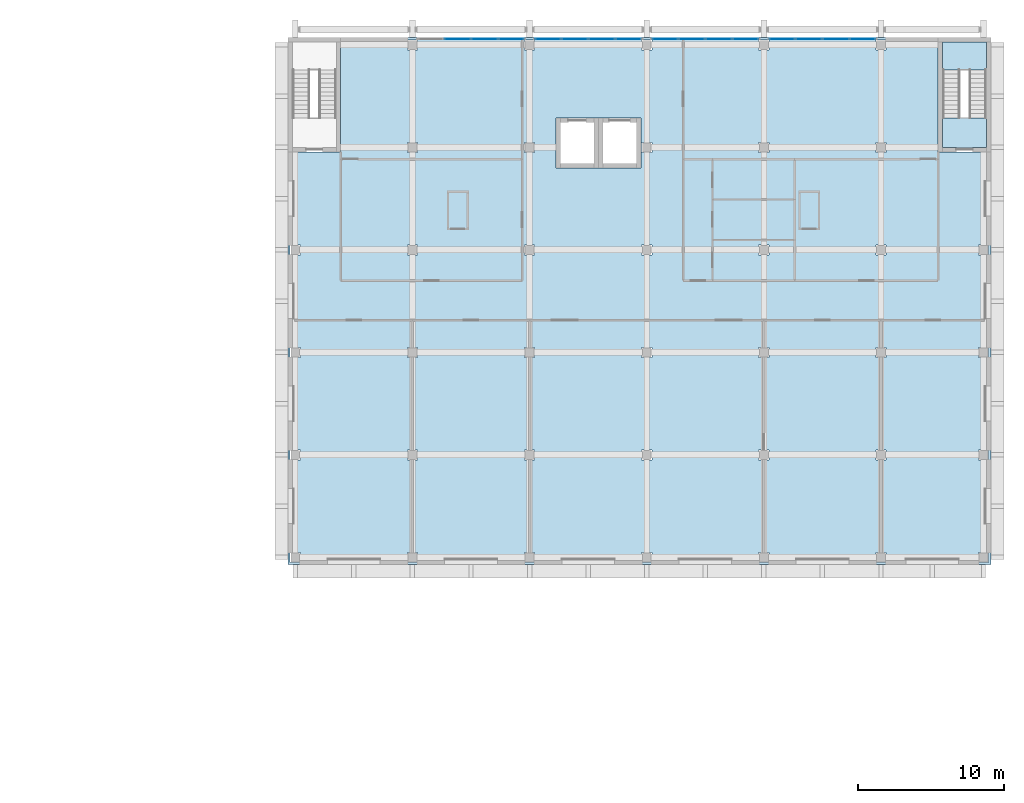
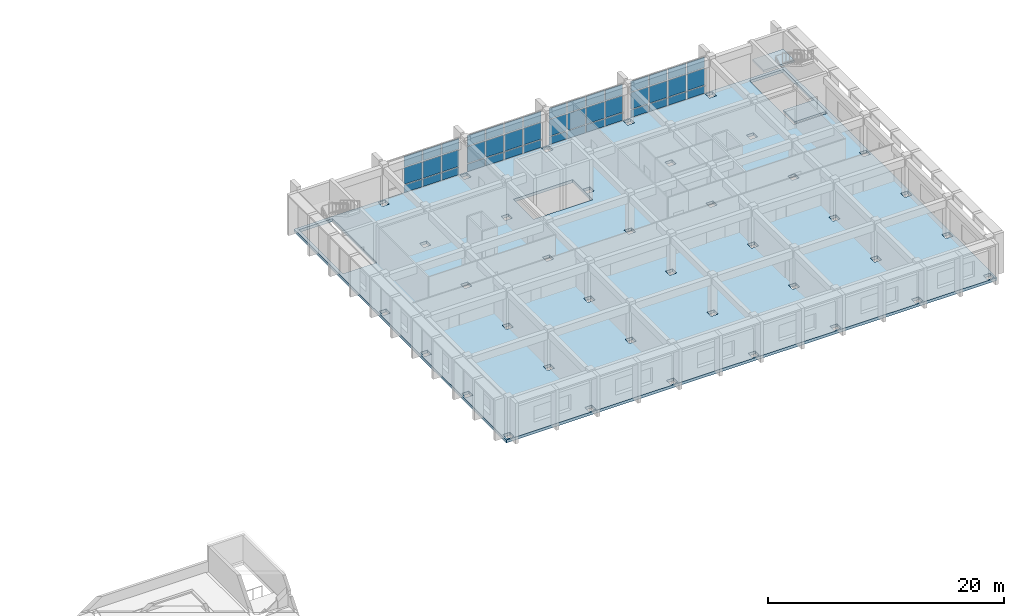
# One storey, part 30 of 43: 45 plates, 3 slabs, 5 elements without a shape of their own.
"""IFC4 building model written with IfcOpenShell, lengths in metres."""

from ifc_helpers import new_model, si_unit, direction, frame, origin, origin_2d, place, context, subcontext, project, spatial, polyline, rectangle, outline, extrude, material, layer, layer_set, type_object, element, aggregate, save


model = new_model("IFC4")

# Units and contexts
model_context = context("Model", 3, precision=1e-05, world=origin(), true_north=direction((0.0, 1.0)))
body_context = subcontext(model_context, "Body", "Model", "MODEL_VIEW")
ifc_project = project(units=[si_unit("LENGTHUNIT", "METRE"), si_unit("AREAUNIT", "SQUARE_METRE"), si_unit("VOLUMEUNIT", "CUBIC_METRE"), si_unit("PLANEANGLEUNIT", "RADIAN"), si_unit("MASSUNIT", "GRAM", prefix="KILO")], contexts=[model_context])

# Site, building, storey
site_placement = place(None, origin())
site = spatial("IfcSite", under=ifc_project, at=site_placement, CompositionType="ELEMENT")
building_placement = place(site_placement, origin())
building = spatial("IfcBuilding", under=site, at=building_placement, Name="Elmora Arch Market Hall", CompositionType="ELEMENT")
storey_placement = place(building_placement, frame((0.0, 0.0, 10.199951171875)))
storey = spatial("IfcBuildingStorey", under=building, at=storey_placement, Name="L02", CompositionType="ELEMENT", Elevation=10.199951171875)

# Slab
ifc_material_1 = material(Name="Concrete C32/40", Category="concrete")
ifc_layer_1 = layer(ifc_material_1, 0.300048828125)
ifc_layer_set_1 = layer_set([ifc_layer_1], Name="Concrete C32/40")
slab_type_1 = type_object("IfcSlabType", Name="Floor slab 300", PredefinedType="FLOOR", material=ifc_layer_set_1)
slab_1_placement = place(storey_placement, frame((0.0, 0.0, -0.300048828125)))
element("IfcSlab", 1, at=slab_1_placement, inside=storey, type_object=slab_type_1, Name="L02 floor slab SCH", PredefinedType="FLOOR", context=body_context, shape_type="SweptSolid", body=[
    extrude(outline(polyline([(86.0, 130.0), (86.0, 166.0), (134.0, 166.0), (134.0, 130.0), (86.0, 130.0)]), holes=[polyline([(133.14892578125, 151.85107421875), (133.14892578125, 151.14892578125), (133.85107421875, 151.14892578125), (133.85107421875, 151.85107421875), (133.14892578125, 151.85107421875)]), polyline([(133.14892578125, 144.85107421875), (133.14892578125, 144.14892578125), (133.85107421875, 144.14892578125), (133.85107421875, 144.85107421875), (133.14892578125, 144.85107421875)]), polyline([(133.14892578125, 137.85107421875), (133.14892578125, 137.14892578125), (133.85107421875, 137.14892578125), (133.85107421875, 137.85107421875), (133.14892578125, 137.85107421875)]), polyline([(133.14892578125, 130.85107421875), (133.14892578125, 130.14892578125), (133.85107421875, 130.14892578125), (133.85107421875, 130.85107421875), (133.14892578125, 130.85107421875)]), polyline([(130.39892578125, 158.198974609375), (133.700927734375, 158.198974609375), (133.700927734375, 165.700927734375), (130.39892578125, 165.700927734375), (130.39892578125, 158.198974609375)]), polyline([(126.14892578125, 151.14892578125), (126.85107421875, 151.14892578125), (126.85107421875, 151.85107421875), (126.14892578125, 151.85107421875), (126.14892578125, 151.14892578125)]), polyline([(126.14892578125, 130.14892578125), (126.85107421875, 130.14892578125), (126.85107421875, 130.85107421875), (126.14892578125, 130.85107421875), (126.14892578125, 130.14892578125)]), polyline([(126.14892578125, 137.85107421875), (126.14892578125, 137.14892578125), (126.85107421875, 137.14892578125), (126.85107421875, 137.85107421875), (126.14892578125, 137.85107421875)]), polyline([(126.14892578125, 144.85107421875), (126.14892578125, 144.14892578125), (126.85107421875, 144.14892578125), (126.85107421875, 144.85107421875), (126.14892578125, 144.85107421875)]), polyline([(126.14892578125, 158.85107421875), (126.14892578125, 158.14892578125), (126.85107421875, 158.14892578125), (126.85107421875, 158.85107421875), (126.14892578125, 158.85107421875)]), polyline([(126.14892578125, 165.85107421875), (126.14892578125, 165.14892578125), (126.85107421875, 165.14892578125), (126.85107421875, 165.85107421875), (126.14892578125, 165.85107421875)]), polyline([(118.14892578125, 165.85107421875), (118.14892578125, 165.14892578125), (118.85107421875, 165.14892578125), (118.85107421875, 165.85107421875), (118.14892578125, 165.85107421875)]), polyline([(118.14892578125, 158.85107421875), (118.14892578125, 158.14892578125), (118.85107421875, 158.14892578125), (118.85107421875, 158.85107421875), (118.14892578125, 158.85107421875)]), polyline([(118.14892578125, 151.85107421875), (118.14892578125, 151.14892578125), (118.85107421875, 151.14892578125), (118.85107421875, 151.85107421875), (118.14892578125, 151.85107421875)]), polyline([(118.14892578125, 144.85107421875), (118.14892578125, 144.14892578125), (118.85107421875, 144.14892578125), (118.85107421875, 144.85107421875), (118.14892578125, 144.85107421875)]), polyline([(118.14892578125, 130.85107421875), (118.14892578125, 130.14892578125), (118.85107421875, 130.14892578125), (118.85107421875, 130.85107421875), (118.14892578125, 130.85107421875)]), polyline([(118.14892578125, 137.14892578125), (118.85107421875, 137.14892578125), (118.85107421875, 137.85107421875), (118.14892578125, 137.85107421875), (118.14892578125, 137.14892578125)]), polyline([(110.14892578125, 165.85107421875), (110.14892578125, 165.14892578125), (110.85107421875, 165.14892578125), (110.85107421875, 165.85107421875), (110.14892578125, 165.85107421875)]), polyline([(110.14892578125, 130.14892578125), (110.85107421875, 130.14892578125), (110.85107421875, 130.85107421875), (110.14892578125, 130.85107421875), (110.14892578125, 130.14892578125)]), polyline([(110.14892578125, 158.14892578125), (110.85107421875, 158.14892578125), (110.85107421875, 158.85107421875), (110.14892578125, 158.85107421875), (110.14892578125, 158.14892578125)]), polyline([(110.14892578125, 137.85107421875), (110.14892578125, 137.14892578125), (110.85107421875, 137.14892578125), (110.85107421875, 137.85107421875), (110.14892578125, 137.85107421875)]), polyline([(110.14892578125, 144.85107421875), (110.14892578125, 144.14892578125), (110.85107421875, 144.14892578125), (110.85107421875, 144.85107421875), (110.14892578125, 144.85107421875)]), polyline([(110.14892578125, 151.85107421875), (110.14892578125, 151.14892578125), (110.85107421875, 151.14892578125), (110.85107421875, 151.85107421875), (110.14892578125, 151.85107421875)]), polyline([(110.10107421875, 157.09912109375), (110.10107421875, 160.5009765625), (104.299072265625, 160.5009765625), (104.299072265625, 157.09912109375), (110.10107421875, 157.09912109375)]), polyline([(102.14892578125, 165.85107421875), (102.14892578125, 165.14892578125), (102.85107421875, 165.14892578125), (102.85107421875, 165.85107421875), (102.14892578125, 165.85107421875)]), polyline([(102.14892578125, 158.85107421875), (102.14892578125, 158.14892578125), (102.85107421875, 158.14892578125), (102.85107421875, 158.85107421875), (102.14892578125, 158.85107421875)]), polyline([(102.14892578125, 151.85107421875), (102.14892578125, 151.14892578125), (102.85107421875, 151.14892578125), (102.85107421875, 151.85107421875), (102.14892578125, 151.85107421875)]), polyline([(102.14892578125, 144.85107421875), (102.14892578125, 144.14892578125), (102.85107421875, 144.14892578125), (102.85107421875, 144.85107421875), (102.14892578125, 144.85107421875)]), polyline([(102.14892578125, 137.85107421875), (102.14892578125, 137.14892578125), (102.85107421875, 137.14892578125), (102.85107421875, 137.85107421875), (102.14892578125, 137.85107421875)]), polyline([(102.14892578125, 130.85107421875), (102.14892578125, 130.14892578125), (102.85107421875, 130.14892578125), (102.85107421875, 130.85107421875), (102.14892578125, 130.85107421875)]), polyline([(94.14892578125, 165.85107421875), (94.14892578125, 165.14892578125), (94.85107421875, 165.14892578125), (94.85107421875, 165.85107421875), (94.14892578125, 165.85107421875)]), polyline([(94.14892578125, 151.85107421875), (94.14892578125, 151.14892578125), (94.85107421875, 151.14892578125), (94.85107421875, 151.85107421875), (94.14892578125, 151.85107421875)]), polyline([(94.14892578125, 130.85107421875), (94.14892578125, 130.14892578125), (94.85107421875, 130.14892578125), (94.85107421875, 130.85107421875), (94.14892578125, 130.85107421875)]), polyline([(94.14892578125, 158.14892578125), (94.85107421875, 158.14892578125), (94.85107421875, 158.85107421875), (94.14892578125, 158.85107421875), (94.14892578125, 158.14892578125)]), polyline([(94.14892578125, 144.14892578125), (94.85107421875, 144.14892578125), (94.85107421875, 144.85107421875), (94.14892578125, 144.85107421875), (94.14892578125, 144.14892578125)]), polyline([(94.14892578125, 137.14892578125), (94.85107421875, 137.14892578125), (94.85107421875, 137.85107421875), (94.14892578125, 137.85107421875), (94.14892578125, 137.14892578125)]), polyline([(86.299072265625, 158.198974609375), (89.60107421875, 158.198974609375), (89.60107421875, 165.700927734375), (86.299072265625, 165.700927734375), (86.299072265625, 158.198974609375)]), polyline([(86.14892578125, 130.14892578125), (86.85107421875, 130.14892578125), (86.85107421875, 130.85107421875), (86.14892578125, 130.85107421875), (86.14892578125, 130.14892578125)]), polyline([(86.14892578125, 137.85107421875), (86.14892578125, 137.14892578125), (86.85107421875, 137.14892578125), (86.85107421875, 137.85107421875), (86.14892578125, 137.85107421875)]), polyline([(86.14892578125, 144.85107421875), (86.14892578125, 144.14892578125), (86.85107421875, 144.14892578125), (86.85107421875, 144.85107421875), (86.14892578125, 144.85107421875)]), polyline([(86.14892578125, 151.85107421875), (86.14892578125, 151.14892578125), (86.85107421875, 151.14892578125), (86.85107421875, 151.85107421875), (86.14892578125, 151.85107421875)])]), origin(), (0.0, 0.0, 1.0), 0.300048828125),
])

# Curtain wall, plates
ifc_material_2 = material(Name="Aluminium", Category="aluminium")
curtain_wall_type = type_object("IfcCurtainWallType", Name="School front curtain wall", PredefinedType="NOTDEFINED", material=ifc_material_2)
curtain_wall_1_placement = place(storey_placement, origin())
curtain_wall_1 = element("IfcCurtainWall", 2, at=curtain_wall_1_placement, inside=storey, type_object=curtain_wall_type, Name="School street front L02 1", PredefinedType="NOTDEFINED")
ifc_material_3 = material(Name="Glass", Category="glass")
ifc_layer_2 = layer(ifc_material_3, 0.035888671875)
ifc_layer_set_2 = layer_set([ifc_layer_2], Name="Glass")
plate_type = type_object("IfcPlateType", Name="Laminated glass panel 36", PredefinedType="CURTAIN_PANEL", material=ifc_layer_set_2)
plate_1_placement = place(storey_placement, frame((97.574951171875, 165.89990234375, 0.074951171875), z_axis=(0.0, 0.0, 1.0), x_axis=(1.0, 0.0, 0.0)))
plate_1 = element("IfcPlate", 3, at=plate_1_placement, type_object=plate_type, Name="CW5 panel 2.1", PredefinedType="CURTAIN_PANEL", context=body_context, shape_type="SweptSolid", body=[
    extrude(rectangle(XDim=1.75, YDim=0.035888671875, at=origin_2d()), origin(), (0.0, 0.0, 1.0), 0.78759765625),
])
plate_2_placement = place(storey_placement, frame((97.574951171875, 165.89990234375, 0.9375), z_axis=(0.0, 0.0, 1.0), x_axis=(1.0, 0.0, 0.0)))
plate_2 = element("IfcPlate", 4, at=plate_2_placement, type_object=plate_type, Name="CW5 panel 2.2", PredefinedType="CURTAIN_PANEL", context=body_context, shape_type="SweptSolid", body=[
    extrude(rectangle(XDim=1.75, YDim=0.035888671875, at=origin_2d()), origin(), (0.0, 0.0, 1.0), 1.72509765625),
])
plate_3_placement = place(storey_placement, frame((97.574951171875, 165.89990234375, 2.737548828125), z_axis=(0.0, 0.0, 1.0), x_axis=(1.0, 0.0, 0.0)))
plate_3 = element("IfcPlate", 5, at=plate_3_placement, type_object=plate_type, Name="CW5 panel 2.3", PredefinedType="CURTAIN_PANEL", context=body_context, shape_type="SweptSolid", body=[
    extrude(rectangle(XDim=1.75, YDim=0.035888671875, at=origin_2d()), origin(), (0.0, 0.0, 1.0), 1.08740234375),
])
plate_4_placement = place(storey_placement, frame((99.425048828125, 165.89990234375, 0.074951171875), z_axis=(0.0, 0.0, 1.0), x_axis=(1.0, 0.0, 0.0)))
plate_4 = element("IfcPlate", 6, at=plate_4_placement, type_object=plate_type, Name="CW5 panel 3.1", PredefinedType="CURTAIN_PANEL", context=body_context, shape_type="SweptSolid", body=[
    extrude(rectangle(XDim=1.75, YDim=0.035888671875, at=origin_2d()), origin(), (0.0, 0.0, 1.0), 0.78759765625),
])
plate_5_placement = place(storey_placement, frame((99.425048828125, 165.89990234375, 0.9375), z_axis=(0.0, 0.0, 1.0), x_axis=(1.0, 0.0, 0.0)))
plate_5 = element("IfcPlate", 7, at=plate_5_placement, type_object=plate_type, Name="CW5 panel 3.2", PredefinedType="CURTAIN_PANEL", context=body_context, shape_type="SweptSolid", body=[
    extrude(rectangle(XDim=1.75, YDim=0.035888671875, at=origin_2d()), origin(), (0.0, 0.0, 1.0), 1.72509765625),
])
plate_6_placement = place(storey_placement, frame((99.425048828125, 165.89990234375, 2.737548828125), z_axis=(0.0, 0.0, 1.0), x_axis=(1.0, 0.0, 0.0)))
plate_6 = element("IfcPlate", 8, at=plate_6_placement, type_object=plate_type, Name="CW5 panel 3.3", PredefinedType="CURTAIN_PANEL", context=body_context, shape_type="SweptSolid", body=[
    extrude(rectangle(XDim=1.75, YDim=0.035888671875, at=origin_2d()), origin(), (0.0, 0.0, 1.0), 1.08740234375),
])
plate_7_placement = place(storey_placement, frame((101.25, 165.89990234375, 0.074951171875), z_axis=(0.0, 0.0, 1.0), x_axis=(1.0, 0.0, 0.0)))
plate_7 = element("IfcPlate", 9, at=plate_7_placement, type_object=plate_type, Name="CW5 panel 4.1", PredefinedType="CURTAIN_PANEL", context=body_context, shape_type="SweptSolid", body=[
    extrude(rectangle(XDim=1.699951171875, YDim=0.035888671875, at=origin_2d()), origin(), (0.0, 0.0, 1.0), 0.78759765625),
])
plate_8_placement = place(storey_placement, frame((101.25, 165.89990234375, 0.9375), z_axis=(0.0, 0.0, 1.0), x_axis=(1.0, 0.0, 0.0)))
plate_8 = element("IfcPlate", 10, at=plate_8_placement, type_object=plate_type, Name="CW5 panel 4.2", PredefinedType="CURTAIN_PANEL", context=body_context, shape_type="SweptSolid", body=[
    extrude(rectangle(XDim=1.699951171875, YDim=0.035888671875, at=origin_2d()), origin(), (0.0, 0.0, 1.0), 1.72509765625),
])
plate_9_placement = place(storey_placement, frame((101.25, 165.89990234375, 2.737548828125), z_axis=(0.0, 0.0, 1.0), x_axis=(1.0, 0.0, 0.0)))
plate_9 = element("IfcPlate", 11, at=plate_9_placement, type_object=plate_type, Name="CW5 panel 4.3", PredefinedType="CURTAIN_PANEL", context=body_context, shape_type="SweptSolid", body=[
    extrude(rectangle(XDim=1.699951171875, YDim=0.035888671875, at=origin_2d()), origin(), (0.0, 0.0, 1.0), 1.08740234375),
])
aggregate(curtain_wall_1, [plate_1, plate_2, plate_3, plate_4, plate_5, plate_6, plate_7, plate_8, plate_9])

curtain_wall_2_placement = place(storey_placement, origin())
curtain_wall_2 = element("IfcCurtainWall", 12, at=curtain_wall_2_placement, inside=storey, type_object=curtain_wall_type, Name="School street front L02 2", PredefinedType="NOTDEFINED")
plate_10_placement = place(storey_placement, frame((103.75, 165.89990234375, 0.074951171875), z_axis=(0.0, 0.0, 1.0), x_axis=(1.0, 0.0, 0.0)))
plate_10 = element("IfcPlate", 13, at=plate_10_placement, type_object=plate_type, Name="CW5 panel 1.1", PredefinedType="CURTAIN_PANEL", context=body_context, shape_type="SweptSolid", body=[
    extrude(rectangle(XDim=1.699951171875, YDim=0.035888671875, at=origin_2d()), origin(), (0.0, 0.0, 1.0), 0.78759765625),
])
plate_11_placement = place(storey_placement, frame((103.75, 165.89990234375, 0.9375), z_axis=(0.0, 0.0, 1.0), x_axis=(1.0, 0.0, 0.0)))
plate_11 = element("IfcPlate", 14, at=plate_11_placement, type_object=plate_type, Name="CW5 panel 1.2", PredefinedType="CURTAIN_PANEL", context=body_context, shape_type="SweptSolid", body=[
    extrude(rectangle(XDim=1.699951171875, YDim=0.035888671875, at=origin_2d()), origin(), (0.0, 0.0, 1.0), 1.72509765625),
])
plate_12_placement = place(storey_placement, frame((103.75, 165.89990234375, 2.737548828125), z_axis=(0.0, 0.0, 1.0), x_axis=(1.0, 0.0, 0.0)))
plate_12 = element("IfcPlate", 15, at=plate_12_placement, type_object=plate_type, Name="CW5 panel 1.3", PredefinedType="CURTAIN_PANEL", context=body_context, shape_type="SweptSolid", body=[
    extrude(rectangle(XDim=1.699951171875, YDim=0.035888671875, at=origin_2d()), origin(), (0.0, 0.0, 1.0), 1.08740234375),
])
plate_13_placement = place(storey_placement, frame((105.574951171875, 165.89990234375, 0.074951171875), z_axis=(0.0, 0.0, 1.0), x_axis=(1.0, 0.0, 0.0)))
plate_13 = element("IfcPlate", 16, at=plate_13_placement, type_object=plate_type, Name="CW5 panel 2.1", PredefinedType="CURTAIN_PANEL", context=body_context, shape_type="SweptSolid", body=[
    extrude(rectangle(XDim=1.75, YDim=0.035888671875, at=origin_2d()), origin(), (0.0, 0.0, 1.0), 0.78759765625),
])
plate_14_placement = place(storey_placement, frame((105.574951171875, 165.89990234375, 0.9375), z_axis=(0.0, 0.0, 1.0), x_axis=(1.0, 0.0, 0.0)))
plate_14 = element("IfcPlate", 17, at=plate_14_placement, type_object=plate_type, Name="CW5 panel 2.2", PredefinedType="CURTAIN_PANEL", context=body_context, shape_type="SweptSolid", body=[
    extrude(rectangle(XDim=1.75, YDim=0.035888671875, at=origin_2d()), origin(), (0.0, 0.0, 1.0), 1.72509765625),
])
plate_15_placement = place(storey_placement, frame((105.574951171875, 165.89990234375, 2.737548828125), z_axis=(0.0, 0.0, 1.0), x_axis=(1.0, 0.0, 0.0)))
plate_15 = element("IfcPlate", 18, at=plate_15_placement, type_object=plate_type, Name="CW5 panel 2.3", PredefinedType="CURTAIN_PANEL", context=body_context, shape_type="SweptSolid", body=[
    extrude(rectangle(XDim=1.75, YDim=0.035888671875, at=origin_2d()), origin(), (0.0, 0.0, 1.0), 1.08740234375),
])
plate_16_placement = place(storey_placement, frame((107.425048828125, 165.89990234375, 0.074951171875), z_axis=(0.0, 0.0, 1.0), x_axis=(1.0, 0.0, 0.0)))
plate_16 = element("IfcPlate", 19, at=plate_16_placement, type_object=plate_type, Name="CW5 panel 3.1", PredefinedType="CURTAIN_PANEL", context=body_context, shape_type="SweptSolid", body=[
    extrude(rectangle(XDim=1.75, YDim=0.035888671875, at=origin_2d()), origin(), (0.0, 0.0, 1.0), 0.78759765625),
])
plate_17_placement = place(storey_placement, frame((107.425048828125, 165.89990234375, 0.9375), z_axis=(0.0, 0.0, 1.0), x_axis=(1.0, 0.0, 0.0)))
plate_17 = element("IfcPlate", 20, at=plate_17_placement, type_object=plate_type, Name="CW5 panel 3.2", PredefinedType="CURTAIN_PANEL", context=body_context, shape_type="SweptSolid", body=[
    extrude(rectangle(XDim=1.75, YDim=0.035888671875, at=origin_2d()), origin(), (0.0, 0.0, 1.0), 1.72509765625),
])
plate_18_placement = place(storey_placement, frame((107.425048828125, 165.89990234375, 2.737548828125), z_axis=(0.0, 0.0, 1.0), x_axis=(1.0, 0.0, 0.0)))
plate_18 = element("IfcPlate", 21, at=plate_18_placement, type_object=plate_type, Name="CW5 panel 3.3", PredefinedType="CURTAIN_PANEL", context=body_context, shape_type="SweptSolid", body=[
    extrude(rectangle(XDim=1.75, YDim=0.035888671875, at=origin_2d()), origin(), (0.0, 0.0, 1.0), 1.08740234375),
])
plate_19_placement = place(storey_placement, frame((109.25, 165.89990234375, 0.074951171875), z_axis=(0.0, 0.0, 1.0), x_axis=(1.0, 0.0, 0.0)))
plate_19 = element("IfcPlate", 22, at=plate_19_placement, type_object=plate_type, Name="CW5 panel 4.1", PredefinedType="CURTAIN_PANEL", context=body_context, shape_type="SweptSolid", body=[
    extrude(rectangle(XDim=1.699951171875, YDim=0.035888671875, at=origin_2d()), origin(), (0.0, 0.0, 1.0), 0.78759765625),
])
plate_20_placement = place(storey_placement, frame((109.25, 165.89990234375, 0.9375), z_axis=(0.0, 0.0, 1.0), x_axis=(1.0, 0.0, 0.0)))
plate_20 = element("IfcPlate", 23, at=plate_20_placement, type_object=plate_type, Name="CW5 panel 4.2", PredefinedType="CURTAIN_PANEL", context=body_context, shape_type="SweptSolid", body=[
    extrude(rectangle(XDim=1.699951171875, YDim=0.035888671875, at=origin_2d()), origin(), (0.0, 0.0, 1.0), 1.72509765625),
])
plate_21_placement = place(storey_placement, frame((109.25, 165.89990234375, 2.737548828125), z_axis=(0.0, 0.0, 1.0), x_axis=(1.0, 0.0, 0.0)))
plate_21 = element("IfcPlate", 24, at=plate_21_placement, type_object=plate_type, Name="CW5 panel 4.3", PredefinedType="CURTAIN_PANEL", context=body_context, shape_type="SweptSolid", body=[
    extrude(rectangle(XDim=1.699951171875, YDim=0.035888671875, at=origin_2d()), origin(), (0.0, 0.0, 1.0), 1.08740234375),
])
aggregate(curtain_wall_2, [plate_10, plate_11, plate_12, plate_13, plate_14, plate_15, plate_16, plate_17, plate_18, plate_19, plate_20, plate_21])

curtain_wall_3_placement = place(storey_placement, origin())
curtain_wall_3 = element("IfcCurtainWall", 25, at=curtain_wall_3_placement, inside=storey, type_object=curtain_wall_type, Name="School street front L02 3", PredefinedType="NOTDEFINED")
plate_22_placement = place(storey_placement, frame((111.75, 165.89990234375, 0.074951171875), z_axis=(0.0, 0.0, 1.0), x_axis=(1.0, 0.0, 0.0)))
plate_22 = element("IfcPlate", 26, at=plate_22_placement, type_object=plate_type, Name="CW5 panel 1.1", PredefinedType="CURTAIN_PANEL", context=body_context, shape_type="SweptSolid", body=[
    extrude(rectangle(XDim=1.699951171875, YDim=0.035888671875, at=origin_2d()), origin(), (0.0, 0.0, 1.0), 0.78759765625),
])
plate_23_placement = place(storey_placement, frame((111.75, 165.89990234375, 0.9375), z_axis=(0.0, 0.0, 1.0), x_axis=(1.0, 0.0, 0.0)))
plate_23 = element("IfcPlate", 27, at=plate_23_placement, type_object=plate_type, Name="CW5 panel 1.2", PredefinedType="CURTAIN_PANEL", context=body_context, shape_type="SweptSolid", body=[
    extrude(rectangle(XDim=1.699951171875, YDim=0.035888671875, at=origin_2d()), origin(), (0.0, 0.0, 1.0), 1.72509765625),
])
plate_24_placement = place(storey_placement, frame((111.75, 165.89990234375, 2.737548828125), z_axis=(0.0, 0.0, 1.0), x_axis=(1.0, 0.0, 0.0)))
plate_24 = element("IfcPlate", 28, at=plate_24_placement, type_object=plate_type, Name="CW5 panel 1.3", PredefinedType="CURTAIN_PANEL", context=body_context, shape_type="SweptSolid", body=[
    extrude(rectangle(XDim=1.699951171875, YDim=0.035888671875, at=origin_2d()), origin(), (0.0, 0.0, 1.0), 1.08740234375),
])
plate_25_placement = place(storey_placement, frame((113.574951171875, 165.89990234375, 0.074951171875), z_axis=(0.0, 0.0, 1.0), x_axis=(1.0, 0.0, 0.0)))
plate_25 = element("IfcPlate", 29, at=plate_25_placement, type_object=plate_type, Name="CW5 panel 2.1", PredefinedType="CURTAIN_PANEL", context=body_context, shape_type="SweptSolid", body=[
    extrude(rectangle(XDim=1.75, YDim=0.035888671875, at=origin_2d()), origin(), (0.0, 0.0, 1.0), 0.78759765625),
])
plate_26_placement = place(storey_placement, frame((113.574951171875, 165.89990234375, 0.9375), z_axis=(0.0, 0.0, 1.0), x_axis=(1.0, 0.0, 0.0)))
plate_26 = element("IfcPlate", 30, at=plate_26_placement, type_object=plate_type, Name="CW5 panel 2.2", PredefinedType="CURTAIN_PANEL", context=body_context, shape_type="SweptSolid", body=[
    extrude(rectangle(XDim=1.75, YDim=0.035888671875, at=origin_2d()), origin(), (0.0, 0.0, 1.0), 1.72509765625),
])
plate_27_placement = place(storey_placement, frame((113.574951171875, 165.89990234375, 2.737548828125), z_axis=(0.0, 0.0, 1.0), x_axis=(1.0, 0.0, 0.0)))
plate_27 = element("IfcPlate", 31, at=plate_27_placement, type_object=plate_type, Name="CW5 panel 2.3", PredefinedType="CURTAIN_PANEL", context=body_context, shape_type="SweptSolid", body=[
    extrude(rectangle(XDim=1.75, YDim=0.035888671875, at=origin_2d()), origin(), (0.0, 0.0, 1.0), 1.08740234375),
])
plate_28_placement = place(storey_placement, frame((115.425048828125, 165.89990234375, 0.074951171875), z_axis=(0.0, 0.0, 1.0), x_axis=(1.0, 0.0, 0.0)))
plate_28 = element("IfcPlate", 32, at=plate_28_placement, type_object=plate_type, Name="CW5 panel 3.1", PredefinedType="CURTAIN_PANEL", context=body_context, shape_type="SweptSolid", body=[
    extrude(rectangle(XDim=1.75, YDim=0.035888671875, at=origin_2d()), origin(), (0.0, 0.0, 1.0), 0.78759765625),
])
plate_29_placement = place(storey_placement, frame((115.425048828125, 165.89990234375, 0.9375), z_axis=(0.0, 0.0, 1.0), x_axis=(1.0, 0.0, 0.0)))
plate_29 = element("IfcPlate", 33, at=plate_29_placement, type_object=plate_type, Name="CW5 panel 3.2", PredefinedType="CURTAIN_PANEL", context=body_context, shape_type="SweptSolid", body=[
    extrude(rectangle(XDim=1.75, YDim=0.035888671875, at=origin_2d()), origin(), (0.0, 0.0, 1.0), 1.72509765625),
])
plate_30_placement = place(storey_placement, frame((115.425048828125, 165.89990234375, 2.737548828125), z_axis=(0.0, 0.0, 1.0), x_axis=(1.0, 0.0, 0.0)))
plate_30 = element("IfcPlate", 34, at=plate_30_placement, type_object=plate_type, Name="CW5 panel 3.3", PredefinedType="CURTAIN_PANEL", context=body_context, shape_type="SweptSolid", body=[
    extrude(rectangle(XDim=1.75, YDim=0.035888671875, at=origin_2d()), origin(), (0.0, 0.0, 1.0), 1.08740234375),
])
plate_31_placement = place(storey_placement, frame((117.25, 165.89990234375, 0.074951171875), z_axis=(0.0, 0.0, 1.0), x_axis=(1.0, 0.0, 0.0)))
plate_31 = element("IfcPlate", 35, at=plate_31_placement, type_object=plate_type, Name="CW5 panel 4.1", PredefinedType="CURTAIN_PANEL", context=body_context, shape_type="SweptSolid", body=[
    extrude(rectangle(XDim=1.699951171875, YDim=0.035888671875, at=origin_2d()), origin(), (0.0, 0.0, 1.0), 0.78759765625),
])
plate_32_placement = place(storey_placement, frame((117.25, 165.89990234375, 0.9375), z_axis=(0.0, 0.0, 1.0), x_axis=(1.0, 0.0, 0.0)))
plate_32 = element("IfcPlate", 36, at=plate_32_placement, type_object=plate_type, Name="CW5 panel 4.2", PredefinedType="CURTAIN_PANEL", context=body_context, shape_type="SweptSolid", body=[
    extrude(rectangle(XDim=1.699951171875, YDim=0.035888671875, at=origin_2d()), origin(), (0.0, 0.0, 1.0), 1.72509765625),
])
plate_33_placement = place(storey_placement, frame((117.25, 165.89990234375, 2.737548828125), z_axis=(0.0, 0.0, 1.0), x_axis=(1.0, 0.0, 0.0)))
plate_33 = element("IfcPlate", 37, at=plate_33_placement, type_object=plate_type, Name="CW5 panel 4.3", PredefinedType="CURTAIN_PANEL", context=body_context, shape_type="SweptSolid", body=[
    extrude(rectangle(XDim=1.699951171875, YDim=0.035888671875, at=origin_2d()), origin(), (0.0, 0.0, 1.0), 1.08740234375),
])
aggregate(curtain_wall_3, [plate_22, plate_23, plate_24, plate_25, plate_26, plate_27, plate_28, plate_29, plate_30, plate_31, plate_32, plate_33])

curtain_wall_4_placement = place(storey_placement, origin())
curtain_wall_4 = element("IfcCurtainWall", 38, at=curtain_wall_4_placement, inside=storey, type_object=curtain_wall_type, Name="School street front L02 4", PredefinedType="NOTDEFINED")
plate_34_placement = place(storey_placement, frame((119.75, 165.89990234375, 0.074951171875), z_axis=(0.0, 0.0, 1.0), x_axis=(1.0, 0.0, 0.0)))
plate_34 = element("IfcPlate", 39, at=plate_34_placement, type_object=plate_type, Name="CW5 panel 1.1", PredefinedType="CURTAIN_PANEL", context=body_context, shape_type="SweptSolid", body=[
    extrude(rectangle(XDim=1.699951171875, YDim=0.035888671875, at=origin_2d()), origin(), (0.0, 0.0, 1.0), 0.78759765625),
])
plate_35_placement = place(storey_placement, frame((119.75, 165.89990234375, 0.9375), z_axis=(0.0, 0.0, 1.0), x_axis=(1.0, 0.0, 0.0)))
plate_35 = element("IfcPlate", 40, at=plate_35_placement, type_object=plate_type, Name="CW5 panel 1.2", PredefinedType="CURTAIN_PANEL", context=body_context, shape_type="SweptSolid", body=[
    extrude(rectangle(XDim=1.699951171875, YDim=0.035888671875, at=origin_2d()), origin(), (0.0, 0.0, 1.0), 1.72509765625),
])
plate_36_placement = place(storey_placement, frame((119.75, 165.89990234375, 2.737548828125), z_axis=(0.0, 0.0, 1.0), x_axis=(1.0, 0.0, 0.0)))
plate_36 = element("IfcPlate", 41, at=plate_36_placement, type_object=plate_type, Name="CW5 panel 1.3", PredefinedType="CURTAIN_PANEL", context=body_context, shape_type="SweptSolid", body=[
    extrude(rectangle(XDim=1.699951171875, YDim=0.035888671875, at=origin_2d()), origin(), (0.0, 0.0, 1.0), 1.08740234375),
])
plate_37_placement = place(storey_placement, frame((121.574951171875, 165.89990234375, 0.074951171875), z_axis=(0.0, 0.0, 1.0), x_axis=(1.0, 0.0, 0.0)))
plate_37 = element("IfcPlate", 42, at=plate_37_placement, type_object=plate_type, Name="CW5 panel 2.1", PredefinedType="CURTAIN_PANEL", context=body_context, shape_type="SweptSolid", body=[
    extrude(rectangle(XDim=1.75, YDim=0.035888671875, at=origin_2d()), origin(), (0.0, 0.0, 1.0), 0.78759765625),
])
plate_38_placement = place(storey_placement, frame((121.574951171875, 165.89990234375, 0.9375), z_axis=(0.0, 0.0, 1.0), x_axis=(1.0, 0.0, 0.0)))
plate_38 = element("IfcPlate", 43, at=plate_38_placement, type_object=plate_type, Name="CW5 panel 2.2", PredefinedType="CURTAIN_PANEL", context=body_context, shape_type="SweptSolid", body=[
    extrude(rectangle(XDim=1.75, YDim=0.035888671875, at=origin_2d()), origin(), (0.0, 0.0, 1.0), 1.72509765625),
])
plate_39_placement = place(storey_placement, frame((121.574951171875, 165.89990234375, 2.737548828125), z_axis=(0.0, 0.0, 1.0), x_axis=(1.0, 0.0, 0.0)))
plate_39 = element("IfcPlate", 44, at=plate_39_placement, type_object=plate_type, Name="CW5 panel 2.3", PredefinedType="CURTAIN_PANEL", context=body_context, shape_type="SweptSolid", body=[
    extrude(rectangle(XDim=1.75, YDim=0.035888671875, at=origin_2d()), origin(), (0.0, 0.0, 1.0), 1.08740234375),
])
plate_40_placement = place(storey_placement, frame((123.425048828125, 165.89990234375, 0.074951171875), z_axis=(0.0, 0.0, 1.0), x_axis=(1.0, 0.0, 0.0)))
plate_40 = element("IfcPlate", 45, at=plate_40_placement, type_object=plate_type, Name="CW5 panel 3.1", PredefinedType="CURTAIN_PANEL", context=body_context, shape_type="SweptSolid", body=[
    extrude(rectangle(XDim=1.75, YDim=0.035888671875, at=origin_2d()), origin(), (0.0, 0.0, 1.0), 0.78759765625),
])
plate_41_placement = place(storey_placement, frame((123.425048828125, 165.89990234375, 0.9375), z_axis=(0.0, 0.0, 1.0), x_axis=(1.0, 0.0, 0.0)))
plate_41 = element("IfcPlate", 46, at=plate_41_placement, type_object=plate_type, Name="CW5 panel 3.2", PredefinedType="CURTAIN_PANEL", context=body_context, shape_type="SweptSolid", body=[
    extrude(rectangle(XDim=1.75, YDim=0.035888671875, at=origin_2d()), origin(), (0.0, 0.0, 1.0), 1.72509765625),
])
plate_42_placement = place(storey_placement, frame((123.425048828125, 165.89990234375, 2.737548828125), z_axis=(0.0, 0.0, 1.0), x_axis=(1.0, 0.0, 0.0)))
plate_42 = element("IfcPlate", 47, at=plate_42_placement, type_object=plate_type, Name="CW5 panel 3.3", PredefinedType="CURTAIN_PANEL", context=body_context, shape_type="SweptSolid", body=[
    extrude(rectangle(XDim=1.75, YDim=0.035888671875, at=origin_2d()), origin(), (0.0, 0.0, 1.0), 1.08740234375),
])
plate_43_placement = place(storey_placement, frame((125.25, 165.89990234375, 0.074951171875), z_axis=(0.0, 0.0, 1.0), x_axis=(1.0, 0.0, 0.0)))
plate_43 = element("IfcPlate", 48, at=plate_43_placement, type_object=plate_type, Name="CW5 panel 4.1", PredefinedType="CURTAIN_PANEL", context=body_context, shape_type="SweptSolid", body=[
    extrude(rectangle(XDim=1.699951171875, YDim=0.035888671875, at=origin_2d()), origin(), (0.0, 0.0, 1.0), 0.78759765625),
])
plate_44_placement = place(storey_placement, frame((125.25, 165.89990234375, 0.9375), z_axis=(0.0, 0.0, 1.0), x_axis=(1.0, 0.0, 0.0)))
plate_44 = element("IfcPlate", 49, at=plate_44_placement, type_object=plate_type, Name="CW5 panel 4.2", PredefinedType="CURTAIN_PANEL", context=body_context, shape_type="SweptSolid", body=[
    extrude(rectangle(XDim=1.699951171875, YDim=0.035888671875, at=origin_2d()), origin(), (0.0, 0.0, 1.0), 1.72509765625),
])
plate_45_placement = place(storey_placement, frame((125.25, 165.89990234375, 2.737548828125), z_axis=(0.0, 0.0, 1.0), x_axis=(1.0, 0.0, 0.0)))
plate_45 = element("IfcPlate", 50, at=plate_45_placement, type_object=plate_type, Name="CW5 panel 4.3", PredefinedType="CURTAIN_PANEL", context=body_context, shape_type="SweptSolid", body=[
    extrude(rectangle(XDim=1.699951171875, YDim=0.035888671875, at=origin_2d()), origin(), (0.0, 0.0, 1.0), 1.08740234375),
])
aggregate(curtain_wall_4, [plate_34, plate_35, plate_36, plate_37, plate_38, plate_39, plate_40, plate_41, plate_42, plate_43, plate_44, plate_45])

# Stair, slabs
ifc_material_4 = material(Name="Concrete C40/50", Category="concrete")
stair_type = type_object("IfcStairType", Name="Exit stair 1200", PredefinedType="TWO_STRAIGHT_RUN_STAIR", material=ifc_material_4)
stair_placement = place(storey_placement, origin())
stair = element("IfcStair", 51, at=stair_placement, inside=storey, type_object=stair_type, Name="Stair ST-SCE L02", PredefinedType="TWO_STRAIGHT_RUN_STAIR")
ifc_material_5 = material(Name="Concrete C32/40", Category="concrete")
ifc_layer_3 = layer(ifc_material_5, 0.199951171875)
ifc_layer_set_3 = layer_set([ifc_layer_3], Name="Concrete C32/40")
slab_type_2 = type_object("IfcSlabType", Name="Stair landing 200", PredefinedType="LANDING", material=ifc_layer_set_3)
slab_2_placement = place(storey_placement, frame((0.0, 0.0, -0.199951171875)))
slab_2 = element("IfcSlab", 52, at=slab_2_placement, type_object=slab_type_2, Name="Stair ST-SCE L02 landing 1", PredefinedType="LANDING", context=body_context, shape_type="SweptSolid", body=[
    extrude(outline(polyline([(130.699951171875, 158.5), (133.699951171875, 158.5), (133.699951171875, 160.5), (130.699951171875, 160.5), (130.699951171875, 158.5)])), origin(), (0.0, 0.0, 1.0), 0.199951171875),
])
slab_3_placement = place(storey_placement, frame((0.0, 0.0, 1.900146484375)))
slab_3 = element("IfcSlab", 53, at=slab_3_placement, type_object=slab_type_2, Name="Stair ST-SCE L02 landing 2", PredefinedType="LANDING", context=body_context, shape_type="SweptSolid", body=[
    extrude(outline(polyline([(130.699951171875, 163.800048828125), (133.699951171875, 163.800048828125), (133.699951171875, 165.699951171875), (130.699951171875, 165.699951171875), (130.699951171875, 163.800048828125)])), origin(), (0.0, 0.0, 1.0), 0.199951171875),
])
aggregate(stair, [slab_2, slab_3])

save(model, "model.ifc")
